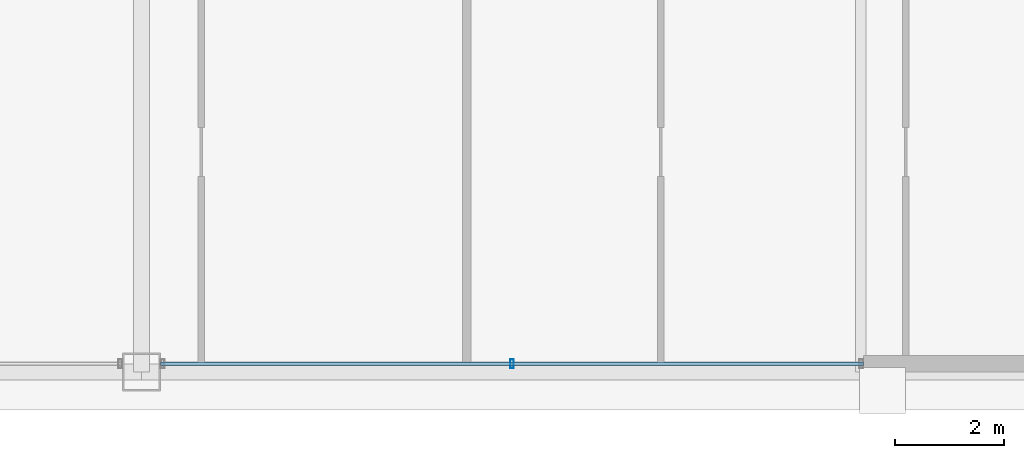
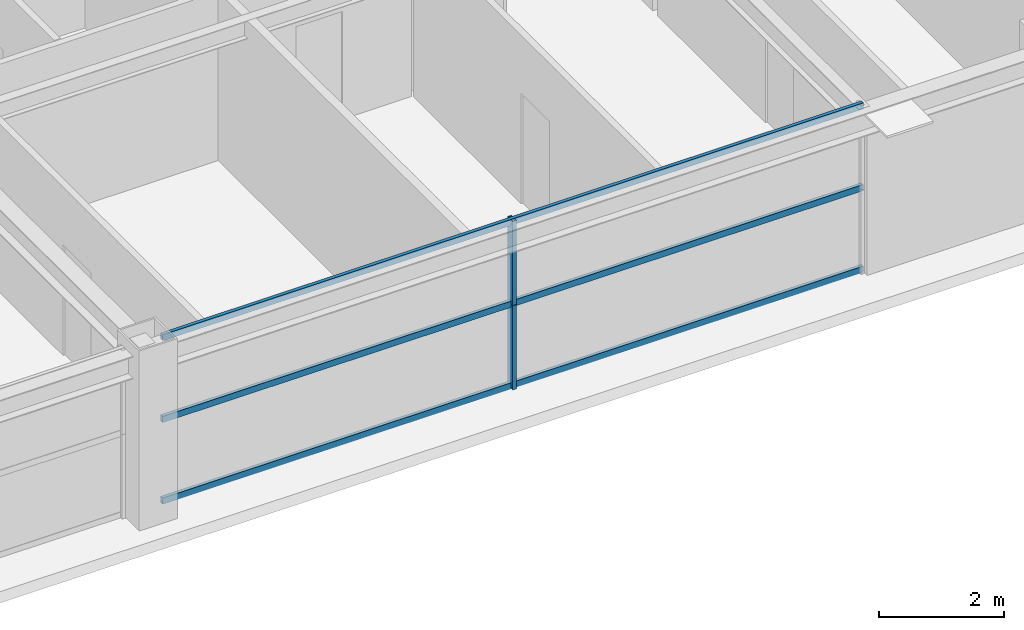
# One storey, part 11 of 37: 5 members, 1 element without a shape of its own.
"""IFC4 building model written with IfcOpenShell, lengths in metres."""

from ifc_helpers import new_model, si_unit, direction, frame, origin, origin_2d, place, context, subcontext, project, spatial, hollow_rectangle, extrude, source, transform, mapped, material, layer, layer_set, material_profile, profile_set, type_object, element, aggregate, save


model = new_model("IFC4")

# Units and contexts
model_context = context("Model", 3, precision=1e-05, world=origin(), true_north=direction((0.0, 1.0)))
body_context = subcontext(model_context, "Body", "Model", "MODEL_VIEW")
ifc_project = project(units=[si_unit("LENGTHUNIT", "METRE"), si_unit("AREAUNIT", "SQUARE_METRE"), si_unit("VOLUMEUNIT", "CUBIC_METRE"), si_unit("PLANEANGLEUNIT", "RADIAN"), si_unit("MASSUNIT", "GRAM", prefix="KILO"), si_unit("THERMODYNAMICTEMPERATUREUNIT", "KELVIN"), si_unit("POWERUNIT", "WATT")], contexts=[model_context])

# Site, building, storey
site_placement = place(None, origin())
site = spatial("IfcSite", under=ifc_project, at=site_placement, CompositionType="ELEMENT")
building_placement = place(site_placement, origin())
building = spatial("IfcBuilding", under=site, at=building_placement, Name="Yuzanri Waterfront Tower", CompositionType="ELEMENT")
storey_placement = place(building_placement, frame((0.0, 0.0, 245.10009765625)))
storey = spatial("IfcBuildingStorey", under=building, at=storey_placement, Name="L65", CompositionType="ELEMENT", Elevation=245.10009765625)

# Curtain wall, members
ifc_material_1 = material(Name="Anodized Architectural Bronze", Category="metal")
ifc_layer = layer(ifc_material_1, 0.159912109375)
ifc_layer_set = layer_set([ifc_layer], Name="Anodized Architectural Bronze")
curtain_wall_type = type_object("IfcCurtainWallType", Name="Anodized Bronze Mid-Rise Residential Acoustic Unitized Curtain Wall 7200", PredefinedType="NOTDEFINED", material=ifc_layer_set)
curtain_wall_placement = place(storey_placement, origin())
curtain_wall = element("IfcCurtainWall", 1, at=curtain_wall_placement, inside=storey, type_object=curtain_wall_type, Name="L65 Curtain Wall CW-L65-SR", PredefinedType="NOTDEFINED")
ifc_material_2 = material(Name="Anodized Architectural Bronze", Category="metal")
ifc_material_profile_1 = material_profile(ifc_material_2, hollow_rectangle(XDim=0.06494140625, YDim=0.159912109375, WallThickness=0.00341796875, at=origin_2d()), Name="CWM 65x160")
ifc_profile_set_1 = profile_set([ifc_material_profile_1], Name="Anodized Architectural Bronze")
member_type_1 = type_object("IfcMemberType", Name="Anodized Bronze Upper-Zone Curtain-Wall Mullion 65x160", PredefinedType="MULLION", material=ifc_profile_set_1)
shared_shape_1 = source(origin(), body_context, "Body", "SweptSolid", [
    extrude(hollow_rectangle(XDim=0.06494140625, YDim=0.159912109375, WallThickness=0.00341796875, at=origin_2d()), origin(), (0.0, 0.0, 1.0), 1.637939453125),
])
member_1_placement = place(storey_placement, frame((43.800048828125, 5.35009765625, 0.0), z_axis=(0.0, 0.0, 1.0), x_axis=(1.0, 0.0, 0.0)))
member_1 = element("IfcMember", 2, at=member_1_placement, type_object=member_type_1, Name="CW-L65-SR Lower Mullion 01", PredefinedType="MULLION", context=body_context, shape_type="MappedRepresentation", body=[
    mapped(shared_shape_1, transform((0.0, 0.0, 0.0), scale=1.0)),
])
member_2_placement = place(storey_placement, frame((43.800048828125, 5.35009765625, 1.641845703125), z_axis=(0.0, 0.0, 1.0), x_axis=(1.0, 0.0, 0.0)))
member_2 = element("IfcMember", 3, at=member_2_placement, type_object=member_type_1, Name="CW-L65-SR Upper Mullion 01", PredefinedType="MULLION", context=body_context, shape_type="MappedRepresentation", body=[
    mapped(shared_shape_1, transform((0.0, 0.0, 0.0), scale=1.0)),
])
ifc_material_3 = material(Name="Anodized Architectural Bronze", Category="metal")
ifc_material_profile_2 = material_profile(ifc_material_3, hollow_rectangle(XDim=0.06494140625, YDim=0.1201171875, WallThickness=0.00341796875, at=origin_2d()), Name="CWT 65x120")
ifc_profile_set_2 = profile_set([ifc_material_profile_2], Name="Anodized Architectural Bronze")
member_type_2 = type_object("IfcMemberType", Name="Anodized Bronze Secondary Curtain-Wall Transom 65x120", PredefinedType="USERDEFINED", material=ifc_profile_set_2)
shared_shape_2 = source(origin(), body_context, "Body", "SweptSolid", [
    extrude(hollow_rectangle(XDim=0.06494140625, YDim=0.1201171875, WallThickness=0.00341796875, at=origin_2d()), origin(), (0.0, 0.0, 1.0), 12.89990234375),
])
member_3_placement = place(storey_placement, frame((37.35009765625, 5.35009765625, 0.0498046875), z_axis=(1.0, 0.0, 0.0), x_axis=(0.0, 1.0, 0.0)))
member_3 = element("IfcMember", 4, at=member_3_placement, type_object=member_type_2, Name="CW-L65-SR Transom 1", ObjectType="TRANSOM", PredefinedType="USERDEFINED", context=body_context, shape_type="MappedRepresentation", body=[
    mapped(shared_shape_2, transform((0.0, 0.0, 0.0), scale=1.0)),
])
member_4_placement = place(storey_placement, frame((37.35009765625, 5.35009765625, 1.639892578125), z_axis=(1.0, 0.0, 0.0), x_axis=(0.0, 1.0, 0.0)))
member_4 = element("IfcMember", 5, at=member_4_placement, type_object=member_type_2, Name="CW-L65-SR Transom 2", ObjectType="TRANSOM", PredefinedType="USERDEFINED", context=body_context, shape_type="MappedRepresentation", body=[
    mapped(shared_shape_2, transform((0.0, 0.0, 0.0), scale=1.0)),
])
member_5_placement = place(storey_placement, frame((37.35009765625, 5.35009765625, 3.22998046875), z_axis=(1.0, 0.0, 0.0), x_axis=(0.0, 1.0, 0.0)))
member_5 = element("IfcMember", 6, at=member_5_placement, type_object=member_type_2, Name="CW-L65-SR Transom 3", ObjectType="TRANSOM", PredefinedType="USERDEFINED", context=body_context, shape_type="MappedRepresentation", body=[
    mapped(shared_shape_2, transform((0.0, 0.0, 0.0), scale=1.0)),
])
aggregate(curtain_wall, [member_1, member_2, member_3, member_4, member_5])

save(model, "model.ifc")
